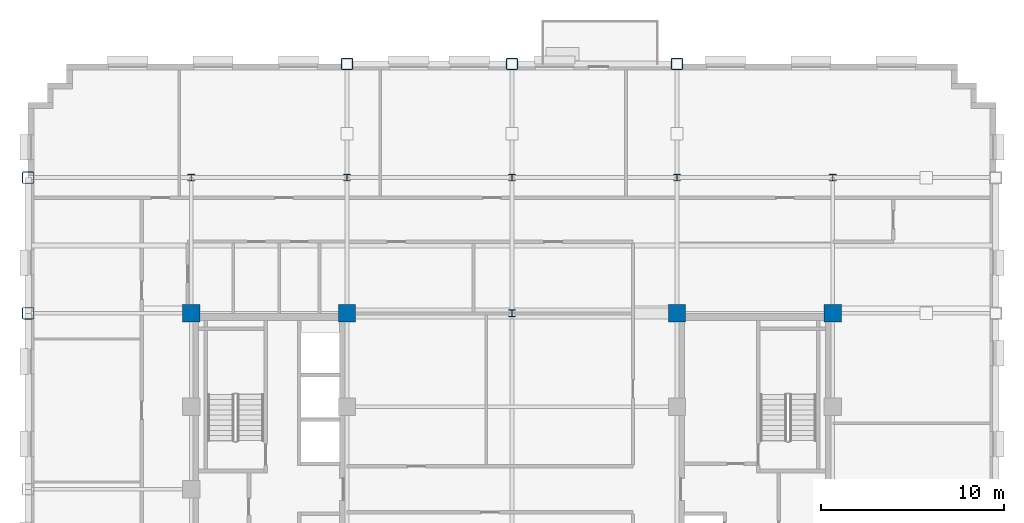
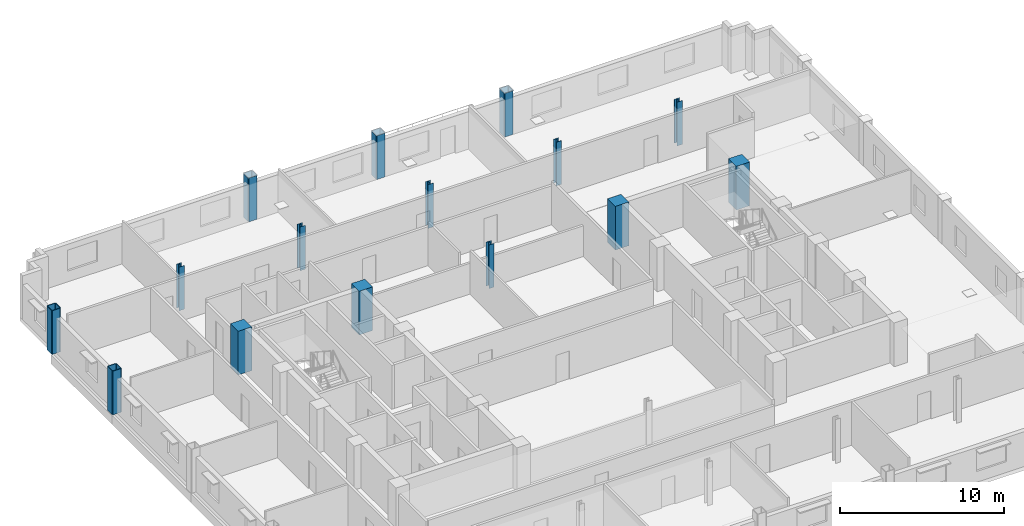
# One storey, part 3 of 14: 15 columns.
"""IFC4 building model written with IfcOpenShell, lengths in metres."""

import ifcopenshell
import ifcopenshell.guid

model = None  # the IFC model being written
_history = None  # IfcOwnerHistory: only IFC2X3 demands one
_inside = {}  # id of a spatial element -> (the spatial element, [elements in it])
_under = {}  # id of a project, library or spatial element -> (it, [spatial elements below it])
_declared = {}  # id of a project -> (the project, [libraries it declares])
_typed = {}  # id of a type object -> (the type object, [elements of that type])
_made_of = {}  # id of a material, layer set ... -> (it, [elements and type objects made of it])


def new_model(schema):
    """Start an empty IFC model of exactly this schema.

    Asked for "IFC4X3", IfcOpenShell would pick the latest addendum, in which some entities
    have other attributes; the version numbers below select the first issue.
    IFC2X3 requires an IfcOwnerHistory on every rooted entity: one is made here for all.
    """
    global model, _history
    if schema == "IFC4X3":
        model = ifcopenshell.file(schema_version=(4, 3, 0, 0))
    else:
        model = ifcopenshell.file(schema=schema)
    _inside.clear()
    _under.clear()
    _declared.clear()
    _typed.clear()
    _made_of.clear()
    _history = None
    if model.schema == "IFC2X3":
        org = make("IfcOrganization", Name="unknown")
        user = make(
            "IfcPersonAndOrganization",
            ThePerson=make("IfcPerson", FamilyName="unknown"),
            TheOrganization=org,
        )
        app = make(
            "IfcApplication",
            ApplicationDeveloper=org,
            Version="unknown",
            ApplicationFullName="unknown",
            ApplicationIdentifier="unknown",
        )
        _history = make(
            "IfcOwnerHistory",
            OwningUser=user,
            OwningApplication=app,
            ChangeAction="ADDED",
            CreationDate=0,
        )
    return model


def make(cls, **values):
    """One entity of the class cls with the attributes given. An attribute that is None is left unset."""
    return model.create_entity(
        cls, **{name: value for name, value in values.items() if value is not None}
    )


def rooted(cls, **values):
    """An entity with a GlobalId (a new one), such as an element, a storey or a relation."""
    return make(cls, GlobalId=ifcopenshell.guid.new(), OwnerHistory=_history, **values)


def si_unit(unit_type, name, prefix=None):
    """IfcSIUnit, for example si_unit("LENGTHUNIT", "METRE", prefix="MILLI")."""
    return make("IfcSIUnit", UnitType=unit_type, Prefix=prefix, Name=name)


def assignment(units):
    """IfcUnitAssignment: the units of a project."""
    return None if units is None else make("IfcUnitAssignment", Units=units)


def point(xyz):
    """IfcCartesianPoint."""
    return None if xyz is None else make("IfcCartesianPoint", Coordinates=xyz)


def direction(xyz):
    """IfcDirection."""
    return None if xyz is None else make("IfcDirection", DirectionRatios=xyz)


def frame(location, z_axis=None, x_axis=None):
    """IfcAxis2Placement3D, a coordinate frame: its origin and axes. An axis left out is left unset."""
    return make(
        "IfcAxis2Placement3D",
        Location=point(location),
        Axis=direction(z_axis),
        RefDirection=direction(x_axis),
    )


def frame_2d(location, x_axis=None):
    """IfcAxis2Placement2D, a coordinate frame in the plane: its origin and x axis."""
    return make(
        "IfcAxis2Placement2D", Location=point(location), RefDirection=direction(x_axis)
    )


def origin():
    """The frame at (0, 0, 0) with its axes left unset."""
    return frame((0.0, 0.0, 0.0))


def origin_2d():
    """The frame at (0, 0) in the plane with its x axis left unset."""
    return frame_2d((0.0, 0.0))


def place(relative_to, where):
    """IfcLocalPlacement: puts the frame where relative to a parent placement (None: the world)."""
    return make(
        "IfcLocalPlacement", PlacementRelTo=relative_to, RelativePlacement=where
    )


def context(
    kind, dimensions, precision=None, world=None, true_north=None, identifier=None
):
    """IfcGeometricRepresentationContext, for example the 3D "Model" context."""
    return make(
        "IfcGeometricRepresentationContext",
        ContextIdentifier=identifier,
        ContextType=kind,
        CoordinateSpaceDimension=dimensions,
        Precision=precision,
        WorldCoordinateSystem=world,
        TrueNorth=true_north,
    )


def subcontext(parent, identifier, kind, view, scale=None):
    """IfcGeometricRepresentationSubContext, for example "Body" below "Model"."""
    return make(
        "IfcGeometricRepresentationSubContext",
        ContextIdentifier=identifier,
        ContextType=kind,
        ParentContext=parent,
        TargetScale=scale,
        TargetView=view,
    )


def project(units=None, contexts=None):
    """IfcProject with its units and contexts."""
    return rooted(
        "IfcProject",
        Name="project",
        RepresentationContexts=contexts,
        UnitsInContext=assignment(units),
    )


def spatial(cls, under=None, at=None, **own):
    """A site, building, storey or space (cls), placed at a placement, below another one or the project."""
    s = rooted(cls, ObjectPlacement=at, **own)
    if under is not None:
        _under.setdefault(under.id(), (under, []))[1].append(s)
    return s


def profile(cls, at=None, kind="AREA", **sizes):
    """A parametric profile (cls). Its sizes go by their IFC names, for example OverallWidth=200.0."""
    return make(cls, ProfileType=kind, Position=at, **sizes)


def rectangle(**sizes):
    """IfcRectangleProfileDef."""
    return profile("IfcRectangleProfileDef", **sizes)


def hollow_rectangle(**sizes):
    """IfcRectangleHollowProfileDef."""
    return profile("IfcRectangleHollowProfileDef", **sizes)


def i_section(**sizes):
    """IfcIShapeProfileDef."""
    return profile("IfcIShapeProfileDef", **sizes)


def extrude(swept, where, along, depth):
    """IfcExtrudedAreaSolid: the profile swept, set in the frame where, extruded along a direction by depth."""
    return make(
        "IfcExtrudedAreaSolid",
        SweptArea=swept,
        Position=where,
        ExtrudedDirection=direction(along),
        Depth=depth,
    )


def shape(context_of_items, identifier, shape_type, items):
    """IfcShapeRepresentation: the items that make up one representation, for example the "Body"."""
    return make(
        "IfcShapeRepresentation",
        ContextOfItems=context_of_items,
        RepresentationIdentifier=identifier,
        RepresentationType=shape_type,
        Items=items,
    )


def material(Name=None, Category=None):
    """IfcMaterial."""
    return make("IfcMaterial", Name=Name, Category=Category)


def material_profile(
    of_material, cross_section, Name=None, Category=None, Priority=None
):
    """IfcMaterialProfile: a cross section and its material."""
    return make(
        "IfcMaterialProfile",
        Name=Name,
        Material=of_material,
        Profile=cross_section,
        Priority=Priority,
        Category=Category,
    )


def profile_set(profiles, Name=None, composite=None):
    """IfcMaterialProfileSet."""
    return make(
        "IfcMaterialProfileSet",
        Name=Name,
        MaterialProfiles=profiles,
        CompositeProfile=composite,
    )


def made_of(thing, what):
    """Note that an element or type object is made of a material, layer set ...; save() writes the relation."""
    if what is not None:
        _made_of.setdefault(what.id(), (what, []))[1].append(thing)
    return thing


def type_object(cls, material=None, **own):
    """A type object (cls), such as IfcWallType, which elements share."""
    return made_of(rooted(cls, **own), material)


def element(
    cls,
    number,
    at=None,
    inside=None,
    cuts=None,
    type_object=None,
    material=None,
    context=None,
    identifier="Body",
    shape_type=None,
    held_by="IfcProductDefinitionShape",
    body=None,
    shapes=None,
    **own,
):
    """One element of the class cls, such as IfcWall. Its Tag is "e" and its number.

    at: its placement. inside: the storey or other place that contains it. cuts: it is an
    opening in that element (IfcRelVoidsElement). A single representation is given by context,
    identifier, shape_type and body (its items); several are given by shapes. held_by: the class
    of the entity that holds the representations. save() writes the other relations.
    """
    e = rooted(cls, Tag="e%d" % number, ObjectPlacement=at, **own)
    if body is not None:
        shapes = [shape(context, identifier, shape_type, body)]
    if shapes is not None:
        e.Representation = make(held_by, Representations=shapes)
    if inside is not None:
        _inside.setdefault(inside.id(), (inside, []))[1].append(e)
    if cuts is not None:
        rooted(
            "IfcRelVoidsElement", RelatingBuildingElement=cuts, RelatedOpeningElement=e
        )
    if type_object is not None:
        _typed.setdefault(type_object.id(), (type_object, []))[1].append(e)
    return made_of(e, material)


def aggregate(whole, parts):
    """IfcRelAggregates: a whole, such as a stair, and the parts it consists of."""
    return rooted("IfcRelAggregates", RelatingObject=whole, RelatedObjects=parts)


def save(model, path):
    """Write the relations noted so far, then the file.

    IfcRelAggregates (storeys below a building ...), IfcRelContainedInSpatialStructure (elements
    in a storey), IfcRelDefinesByType, IfcRelAssociatesMaterial and IfcRelDeclares: one each for
    every whole, place, type object, material and project.
    """
    for whole, parts in _under.values():
        aggregate(whole, parts)
    for where, things in _inside.values():
        rooted(
            "IfcRelContainedInSpatialStructure",
            RelatedElements=things,
            RelatingStructure=where,
        )
    for kind, things in _typed.values():
        rooted("IfcRelDefinesByType", RelatedObjects=things, RelatingType=kind)
    for what, things in _made_of.values():
        rooted("IfcRelAssociatesMaterial", RelatedObjects=things, RelatingMaterial=what)
    for by, libraries in _declared.values():
        rooted("IfcRelDeclares", RelatingContext=by, RelatedDefinitions=libraries)
    model.write(path)


model = new_model("IFC4")

# Units and contexts
model_context = context("Model", 3, precision=1e-05, world=origin(), true_north=direction((0.0, 1.0)))
body_context = subcontext(model_context, "Body", "Model", "MODEL_VIEW")
ifc_project = project(units=[si_unit("LENGTHUNIT", "METRE"), si_unit("AREAUNIT", "SQUARE_METRE"), si_unit("VOLUMEUNIT", "CUBIC_METRE"), si_unit("PLANEANGLEUNIT", "RADIAN"), si_unit("MASSUNIT", "GRAM", prefix="KILO")], contexts=[model_context])

# Site, building, storey
site_placement = place(None, origin())
site = spatial("IfcSite", under=ifc_project, at=site_placement, CompositionType="ELEMENT")
building_placement = place(site_placement, origin())
building = spatial("IfcBuilding", under=site, at=building_placement, Name="Nuvemarco Arch Tower", CompositionType="ELEMENT")
storey_placement = place(building_placement, frame((0.0, 0.0, 164.0)))
storey = spatial("IfcBuildingStorey", under=building, at=storey_placement, Name="L43", CompositionType="ELEMENT", Elevation=164.0)

# Columns
ifc_material_1 = material(Name="Concrete C50/60", Category="concrete")
ifc_material_profile_1 = material_profile(ifc_material_1, rectangle(XDim=0.949951171875, YDim=0.949951171875, at=origin_2d()), Name="RC-COL-950x950")
ifc_profile_set_1 = profile_set([ifc_material_profile_1], Name="Concrete C50/60")
column_type_1 = type_object("IfcColumnType", Name="COL-CORE-950", PredefinedType="COLUMN", material=ifc_profile_set_1)
for number, where, z_axis, x_axis, name in (
    (1, (-17.5, 9.60009765625, 0.0), (0.0, 0.0, 1.0), (1.0, 0.0, 0.0), "L43 column CC_-17.5_+9.6"),
    (2, (-9.0, 9.60009765625, 0.0), (0.0, 0.0, 1.0), (1.0, 0.0, 0.0), "L43 column CC_-9.0_+9.6"),
    (3, (9.0, 9.60009765625, 0.0), (0.0, 0.0, 1.0), (1.0, 0.0, 0.0), "L43 column CC_+9.0_+9.6"),
    (4, (17.5, 9.60009765625, 0.0), (0.0, 0.0, 1.0), (1.0, 0.0, 0.0), "L43 column CC_+17.5_+9.6"),
):
    element("IfcColumn", number, at=place(storey_placement, frame(where, z_axis=z_axis, x_axis=x_axis)), inside=storey, type_object=column_type_1, Name=name, PredefinedType="COLUMN", context=body_context, shape_type="SweptSolid", body=[
        extrude(rectangle(XDim=0.949951171875, YDim=0.949951171875, at=origin_2d()), origin(), (0.0, 0.0, 1.0), 3.25),
    ])
ifc_material_2 = material(Name="Steel S355", Category="steel")
ifc_material_profile_2 = material_profile(ifc_material_2, hollow_rectangle(XDim=0.64990234375, YDim=0.64990234375, WallThickness=0.0400390625, InnerFilletRadius=0.0400390625, OuterFilletRadius=0.080078125, at=origin_2d()), Name="SHS650x650x40")
ifc_profile_set_2 = profile_set([ifc_material_profile_2], Name="Steel S355")
column_type_2 = type_object("IfcColumnType", Name="COL-EXO-650", PredefinedType="COLUMN", material=ifc_profile_set_2)
for number, where, z_axis, x_axis, name in (
    (5, (-26.39990234375, 9.60009765625, 0.0), (0.0, 0.0, 1.0), (1.0, 0.0, 0.0), "L43 column CX_-26.4_+9.6"),
    (6, (-26.39990234375, 17.0, 0.0), (0.0, 0.0, 1.0), (1.0, 0.0, 0.0), "L43 column CX_-26.4_+17.0"),
    (7, (-9.0, 23.199951171875, 0.0), (0.0, 0.0, 1.0), (1.0, 0.0, 0.0), "L43 column CY_-9.0_+23.2"),
    (8, (0.0, 23.199951171875, 0.0), (0.0, 0.0, 1.0), (1.0, 0.0, 0.0), "L43 column CY_+0.0_+23.2"),
    (9, (9.0, 23.199951171875, 0.0), (0.0, 0.0, 1.0), (1.0, 0.0, 0.0), "L43 column CY_+9.0_+23.2"),
):
    element("IfcColumn", number, at=place(storey_placement, frame(where, z_axis=z_axis, x_axis=x_axis)), inside=storey, type_object=column_type_2, Name=name, PredefinedType="COLUMN", context=body_context, shape_type="SweptSolid", body=[
        extrude(hollow_rectangle(XDim=0.64990234375, YDim=0.64990234375, WallThickness=0.0400390625, InnerFilletRadius=0.0400390625, OuterFilletRadius=0.080078125, at=origin_2d()), origin(), (0.0, 0.0, 1.0), 3.25),
    ])
ifc_material_profile_3 = material_profile(ifc_material_2, i_section(OverallWidth=0.360107421875, OverallDepth=0.360107421875, WebThickness=0.0205078125, FlangeThickness=0.0205078125, FilletRadius=0.01806640625, at=origin_2d()), Name="HP360x174")
ifc_profile_set_3 = profile_set([ifc_material_profile_3], Name="Steel S355")
column_type_3 = type_object("IfcColumnType", Name="COL-STL-HP360", PredefinedType="COLUMN", material=ifc_profile_set_3)
for number, where, z_axis, x_axis, name in (
    (10, (0.0, 9.60009765625, 0.0), (0.0, 0.0, 1.0), (1.0, 0.0, 0.0), "L43 column CI_+0.0_+9.6"),
    (11, (0.0, 17.0, 0.0), (0.0, 0.0, 1.0), (1.0, 0.0, 0.0), "L43 column CI_+0.0_+17.0"),
    (12, (-17.5, 17.0, 0.0), (0.0, 0.0, 1.0), (1.0, 0.0, 0.0), "L43 column CI_-17.5_+17.0"),
    (13, (-9.0, 17.0, 0.0), (0.0, 0.0, 1.0), (1.0, 0.0, 0.0), "L43 column CI_-9.0_+17.0"),
    (14, (9.0, 17.0, 0.0), (0.0, 0.0, 1.0), (1.0, 0.0, 0.0), "L43 column CI_+9.0_+17.0"),
    (15, (17.5, 17.0, 0.0), (0.0, 0.0, 1.0), (1.0, 0.0, 0.0), "L43 column CI_+17.5_+17.0"),
):
    element("IfcColumn", number, at=place(storey_placement, frame(where, z_axis=z_axis, x_axis=x_axis)), inside=storey, type_object=column_type_3, Name=name, PredefinedType="COLUMN", context=body_context, shape_type="SweptSolid", body=[
        extrude(i_section(OverallWidth=0.360107421875, OverallDepth=0.360107421875, WebThickness=0.0205078125, FlangeThickness=0.0205078125, FilletRadius=0.01806640625, at=origin_2d()), origin(), (0.0, 0.0, 1.0), 3.25),
    ])

save(model, "model.ifc")
